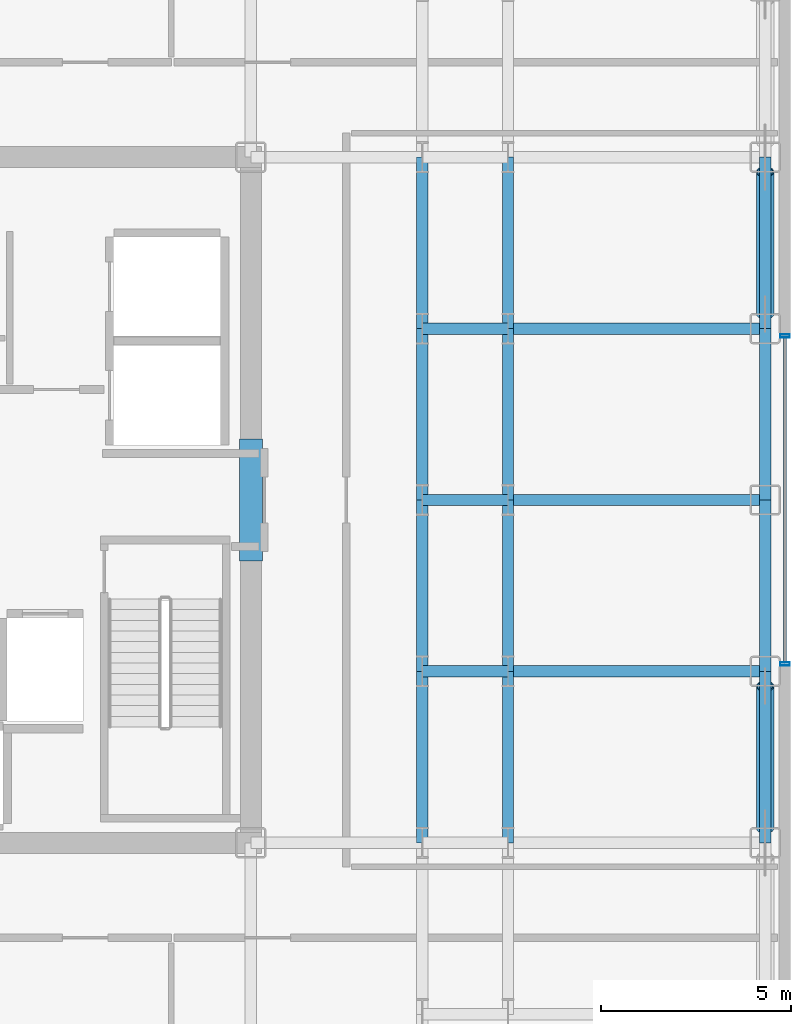
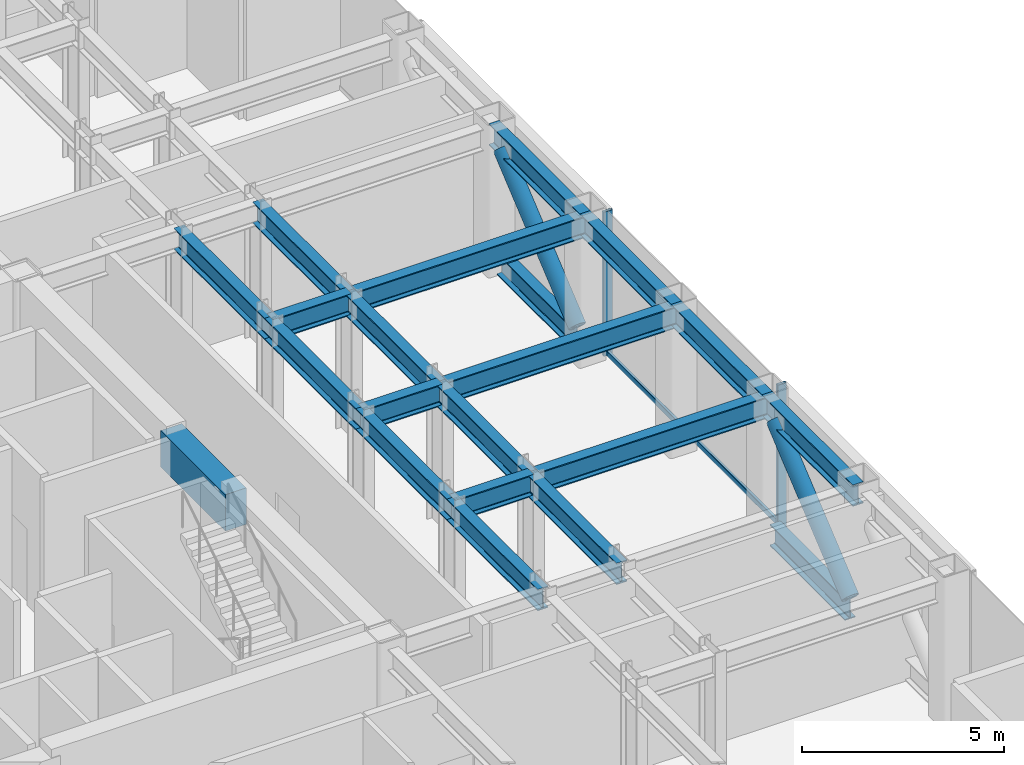
# One storey, part 10 of 26: 19 beams, 7 members, 1 element without a shape of its own.
"""IFC4 building model written with IfcOpenShell, lengths in metres."""

from ifc_helpers import new_model, si_unit, direction, frame, origin, origin_2d, place, context, subcontext, project, spatial, rectangle, hollow_rectangle, hollow_circle, i_section, extrude, source, transform, mapped, material, layer, layer_set, material_profile, profile_set, type_object, element, aggregate, save


model = new_model("IFC4")

# Units and contexts
model_context = context("Model", 3, precision=1e-05, world=origin(), true_north=direction((0.0, 1.0)))
body_context = subcontext(model_context, "Body", "Model", "MODEL_VIEW")
ifc_project = project(units=[si_unit("LENGTHUNIT", "METRE"), si_unit("AREAUNIT", "SQUARE_METRE"), si_unit("VOLUMEUNIT", "CUBIC_METRE"), si_unit("PLANEANGLEUNIT", "RADIAN"), si_unit("MASSUNIT", "GRAM", prefix="KILO")], contexts=[model_context])

# Site, building, storey
site_placement = place(None, origin())
site = spatial("IfcSite", under=ifc_project, at=site_placement, CompositionType="ELEMENT")
building_placement = place(site_placement, origin())
building = spatial("IfcBuilding", under=site, at=building_placement, Name="Nefas-Gora Pilgrimage Tower", CompositionType="ELEMENT")
storey_placement = place(building_placement, frame((0.0, 0.0, 202.0)))
storey = spatial("IfcBuildingStorey", under=building, at=storey_placement, Name="L50", CompositionType="ELEMENT", Elevation=202.0)

# Beams
ifc_material_1 = material(Name="Concrete C60/75", Category="concrete")
ifc_material_profile_1 = material_profile(ifc_material_1, rectangle(XDim=0.60009765625, YDim=1.10009765625, at=origin_2d()), Name="RC 600x1100")
ifc_profile_set_1 = profile_set([ifc_material_profile_1], Name="Concrete C60/75")
beam_type_1 = type_object("IfcBeamType", Name="BM-LIN-RC1100", PredefinedType="LINTEL", material=ifc_profile_set_1)
shared_shape_1 = source(origin(), body_context, "Body", "SweptSolid", [
    extrude(rectangle(XDim=0.60009765625, YDim=1.10009765625, at=origin_2d()), origin(), (0.0, 0.0, 1.0), 3.2001953125),
])
beam_placement = place(storey_placement, frame((11.25, -1.60009765625, 3.800048828125), z_axis=(0.0, 1.0, 0.0), x_axis=(-1.0, 0.0, 0.0)))
element("IfcBeam", 1, at=beam_placement, inside=storey, type_object=beam_type_1, Name="L50 Core Coupling Lintel Beam E", PredefinedType="LINTEL", context=body_context, shape_type="MappedRepresentation", body=[
    mapped(shared_shape_1, transform((0.0, 0.0, 0.0), x_axis=(1.0, 0.0, 0.0), y_axis=(0.0, 1.0, 0.0), z_axis=(0.0, 0.0, 1.0), scale=1.0)),
])
ifc_material_2 = material(Name="Steel S355", Category="steel")
ifc_material_profile_2 = material_profile(ifc_material_2, i_section(OverallWidth=0.300048828125, OverallDepth=0.64990234375, WebThickness=0.01611328125, FlangeThickness=0.031005859375, FilletRadius=0.027099609375, at=origin_2d()), Name="HEB 650")
ifc_profile_set_2 = profile_set([ifc_material_profile_2], Name="Steel S355")
beam_type_2 = type_object("IfcBeamType", Name="BM-SPN-HEB500", PredefinedType="SPANDREL", material=ifc_profile_set_2)
shared_shape_2 = source(origin(), body_context, "Body", "SweptSolid", [
    extrude(i_section(OverallWidth=0.300048828125, OverallDepth=0.64990234375, WebThickness=0.01611328125, FlangeThickness=0.031005859375, FilletRadius=0.027099609375, at=origin_2d()), origin(), (0.0, 0.0, 1.0), 4.5),
])
for number, where, z_axis, x_axis, name in (
    (2, (24.75, -9.0, 4.02490234375), (0.0, 1.0, 0.0), (-1.0, 0.0, 0.0), "L50 SP-02 beam"),
    (3, (24.75, -4.5, 4.02490234375), (0.0, 1.0, 0.0), (-1.0, 0.0, 0.0), "L50 SP-02 beam"),
    (4, (24.75, 0.0, 4.02490234375), (0.0, 1.0, 0.0), (-1.0, 0.0, 0.0), "L50 SP-02 beam"),
    (5, (24.75, 4.5, 4.02490234375), (0.0, 1.0, 0.0), (-1.0, 0.0, 0.0), "L50 SP-02 beam"),
):
    element("IfcBeam", number, at=place(storey_placement, frame(where, z_axis=z_axis, x_axis=x_axis)), inside=storey, type_object=beam_type_2, Name=name, PredefinedType="SPANDREL", context=body_context, shape_type="MappedRepresentation", body=[
        mapped(shared_shape_2, transform((0.0, 0.0, 0.0), x_axis=(1.0, 0.0, 0.0), y_axis=(0.0, 1.0, 0.0), z_axis=(0.0, 0.0, 1.0), scale=1.0)),
    ])
ifc_material_profile_3 = material_profile(ifc_material_2, i_section(OverallWidth=0.300048828125, OverallDepth=0.64990234375, WebThickness=0.01611328125, FlangeThickness=0.031005859375, FilletRadius=0.027099609375, at=origin_2d()), Name="HEB 650")
ifc_profile_set_3 = profile_set([ifc_material_profile_3], Name="Steel S355")
beam_type_3 = type_object("IfcBeamType", Name="BM-GIR-HEB650", PredefinedType="BEAM", material=ifc_profile_set_3)
shared_shape_3 = source(origin(), body_context, "Body", "SweptSolid", [
    extrude(i_section(OverallWidth=0.300048828125, OverallDepth=0.64990234375, WebThickness=0.01611328125, FlangeThickness=0.031005859375, FilletRadius=0.027099609375, at=origin_2d()), origin(), (0.0, 0.0, 1.0), 4.5),
])
for number, where, z_axis, x_axis, name in (
    (6, (15.75, -9.0, 4.02490234375), (0.0, 1.0, 0.0), (-1.0, 0.0, 0.0), "L50 G-03 beam"),
    (7, (15.75, -4.5, 4.02490234375), (0.0, 1.0, 0.0), (-1.0, 0.0, 0.0), "L50 G-03 beam"),
    (8, (15.75, 0.0, 4.02490234375), (0.0, 1.0, 0.0), (-1.0, 0.0, 0.0), "L50 G-03 beam"),
    (9, (15.75, 4.5, 4.02490234375), (0.0, 1.0, 0.0), (-1.0, 0.0, 0.0), "L50 G-03 beam"),
    (10, (18.0, -9.0, 4.02490234375), (0.0, 1.0, 0.0), (-1.0, 0.0, 0.0), "L50 G-03 beam"),
    (11, (18.0, -4.5, 4.02490234375), (0.0, 1.0, 0.0), (-1.0, 0.0, 0.0), "L50 G-03 beam"),
    (12, (18.0, 0.0, 4.02490234375), (0.0, 1.0, 0.0), (-1.0, 0.0, 0.0), "L50 G-03 beam"),
    (13, (18.0, 4.5, 4.02490234375), (0.0, 1.0, 0.0), (-1.0, 0.0, 0.0), "L50 G-03 beam"),
):
    element("IfcBeam", number, at=place(storey_placement, frame(where, z_axis=z_axis, x_axis=x_axis)), inside=storey, type_object=beam_type_3, Name=name, PredefinedType="BEAM", context=body_context, shape_type="MappedRepresentation", body=[
        mapped(shared_shape_3, transform((0.0, 0.0, 0.0), x_axis=(1.0, 0.0, 0.0), y_axis=(0.0, 1.0, 0.0), z_axis=(0.0, 0.0, 1.0), scale=1.0)),
    ])
shared_shape_4 = source(origin(), body_context, "Body", "SweptSolid", [
    extrude(i_section(OverallWidth=0.300048828125, OverallDepth=0.64990234375, WebThickness=0.01611328125, FlangeThickness=0.031005859375, FilletRadius=0.027099609375, at=origin_2d()), origin(), (0.0, 0.0, 1.0), 6.75),
])
for number, where, z_axis, x_axis, name in (
    (14, (18.0, -4.5, 4.02490234375), (1.0, 0.0, 0.0), (0.0, 1.0, 0.0), "L50 G-03 beam"),
    (15, (18.0, 0.0, 4.02490234375), (1.0, 0.0, 0.0), (0.0, 1.0, 0.0), "L50 G-03 beam"),
    (16, (18.0, 4.5, 4.02490234375), (1.0, 0.0, 0.0), (0.0, 1.0, 0.0), "L50 G-03 beam"),
):
    element("IfcBeam", number, at=place(storey_placement, frame(where, z_axis=z_axis, x_axis=x_axis)), inside=storey, type_object=beam_type_3, Name=name, PredefinedType="BEAM", context=body_context, shape_type="MappedRepresentation", body=[
        mapped(shared_shape_4, transform((0.0, 0.0, 0.0), x_axis=(1.0, 0.0, 0.0), y_axis=(0.0, 1.0, 0.0), z_axis=(0.0, 0.0, 1.0), scale=1.0)),
    ])
shared_shape_5 = source(origin(), body_context, "Body", "SweptSolid", [
    extrude(i_section(OverallWidth=0.300048828125, OverallDepth=0.64990234375, WebThickness=0.01611328125, FlangeThickness=0.031005859375, FilletRadius=0.027099609375, at=origin_2d()), origin(), (0.0, 0.0, 1.0), 2.25),
])
for number, where, z_axis, x_axis, name in (
    (17, (15.75, -4.5, 4.02490234375), (1.0, 0.0, 0.0), (0.0, 1.0, 0.0), "L50 G-03 beam"),
    (18, (15.75, 0.0, 4.02490234375), (1.0, 0.0, 0.0), (0.0, 1.0, 0.0), "L50 G-03 beam"),
    (19, (15.75, 4.5, 4.02490234375), (1.0, 0.0, 0.0), (0.0, 1.0, 0.0), "L50 G-03 beam"),
):
    element("IfcBeam", number, at=place(storey_placement, frame(where, z_axis=z_axis, x_axis=x_axis)), inside=storey, type_object=beam_type_3, Name=name, PredefinedType="BEAM", context=body_context, shape_type="MappedRepresentation", body=[
        mapped(shared_shape_5, transform((0.0, 0.0, 0.0), x_axis=(1.0, 0.0, 0.0), y_axis=(0.0, 1.0, 0.0), z_axis=(0.0, 0.0, 1.0), scale=1.0)),
    ])

# Members
ifc_material_3 = material(Name="Steel S460", Category="steel")
ifc_material_profile_4 = material_profile(ifc_material_3, hollow_circle(Radius=0.228515625, WallThickness=0.028076171875, at=origin_2d()), Name="CHS 457x28")
ifc_profile_set_4 = profile_set([ifc_material_profile_4], Name="Steel S460")
member_type_1 = type_object("IfcMemberType", Name="MEM-BELT-457", PredefinedType="BRACE", material=ifc_profile_set_4)
shared_shape_6 = source(origin(), body_context, "Body", "SweptSolid", [
    extrude(hollow_circle(Radius=0.228515625, WallThickness=0.028076171875, at=origin_2d()), origin(), (0.0, 0.0, 1.0), 4.84765625),
])
for number, where, z_axis, x_axis, name in (
    (20, (24.75, -8.612060546875, 0.67333984375), (0.0, 0.768237791814, 0.640164584485), (-1.0, 0.0, 0.0), "L50 Perimeter Belt-Truss Diagonal 6"),
    (21, (24.75, 4.887939453125, 0.67333984375), (0.0, 0.768237791814, 0.640164584485), (-1.0, 0.0, 0.0), "L50 Perimeter Belt-Truss Diagonal 7"),
):
    element("IfcMember", number, at=place(storey_placement, frame(where, z_axis=z_axis, x_axis=x_axis)), inside=storey, type_object=member_type_1, Name=name, PredefinedType="BRACE", context=body_context, shape_type="MappedRepresentation", body=[
        mapped(shared_shape_6, transform((0.0, 0.0, 0.0), x_axis=(1.0, 0.0, 0.0), y_axis=(0.0, 1.0, 0.0), z_axis=(0.0, 0.0, 1.0), scale=1.0)),
    ])
ifc_material_profile_5 = material_profile(ifc_material_3, i_section(OverallWidth=0.300048828125, OverallDepth=0.64990234375, WebThickness=0.01611328125, FlangeThickness=0.031005859375, FilletRadius=0.027099609375, at=origin_2d()), Name="HEB 650")
ifc_profile_set_5 = profile_set([ifc_material_profile_5], Name="Steel S460")
member_type_2 = type_object("IfcMemberType", Name="MEM-BELT-CHORD", PredefinedType="CHORD", material=ifc_profile_set_5)
shared_shape_7 = source(origin(), body_context, "Body", "SweptSolid", [
    extrude(i_section(OverallWidth=0.300048828125, OverallDepth=0.64990234375, WebThickness=0.01611328125, FlangeThickness=0.031005859375, FilletRadius=0.027099609375, at=origin_2d()), origin(), (0.0, 0.0, 1.0), 3.72412109375),
])
for number, where, z_axis, x_axis, name in (
    (22, (24.75, -8.612060546875, 0.35009765625), (0.0, 1.0, 0.0), (-1.0, 0.0, 0.0), "L50 Perimeter Belt-Truss Bottom Chord 6"),
    (23, (24.75, 4.887939453125, 0.35009765625), (0.0, 1.0, 0.0), (-1.0, 0.0, 0.0), "L50 Perimeter Belt-Truss Bottom Chord 7"),
):
    element("IfcMember", number, at=place(storey_placement, frame(where, z_axis=z_axis, x_axis=x_axis)), inside=storey, type_object=member_type_2, Name=name, PredefinedType="CHORD", context=body_context, shape_type="MappedRepresentation", body=[
        mapped(shared_shape_7, transform((0.0, 0.0, 0.0), x_axis=(1.0, 0.0, 0.0), y_axis=(0.0, 1.0, 0.0), z_axis=(0.0, 0.0, 1.0), scale=1.0)),
    ])

# Curtain wall, members
ifc_material_4 = material(Name="Dark ceramic-fritted solar-control aluminium-glass curtain wall", Category="aluminium")
ifc_layer = layer(ifc_material_4, 0.219970703125)
ifc_layer_set = layer_set([ifc_layer], Name="Dark ceramic-fritted solar-control aluminium-glass curtain wall")
curtain_wall_type = type_object("IfcCurtainWallType", Name="CW-SYS-3", PredefinedType="NOTDEFINED", material=ifc_layer_set)
curtain_wall_placement = place(storey_placement, origin())
curtain_wall = element("IfcCurtainWall", 24, at=curtain_wall_placement, inside=storey, type_object=curtain_wall_type, Name="L50 Unitised Curtain Wall CW3", PredefinedType="NOTDEFINED")
ifc_material_5 = material(Name="Anodised architectural aluminium", Category="aluminium")
ifc_material_profile_6 = material_profile(ifc_material_5, hollow_rectangle(XDim=0.080078125, YDim=0.159912109375, WallThickness=0.00439453125, InnerFilletRadius=0.00439453125, OuterFilletRadius=0.009033203125, at=origin_2d()), Name="ALU TRANSOM 80x160")
ifc_profile_set_6 = profile_set([ifc_material_profile_6], Name="Anodised architectural aluminium")
member_type_3 = type_object("IfcMemberType", Name="CWM-TRN-3", PredefinedType="USERDEFINED", material=ifc_profile_set_6)
shared_shape_8 = source(origin(), body_context, "Body", "SweptSolid", [
    extrude(hollow_rectangle(XDim=0.080078125, YDim=0.159912109375, WallThickness=0.00439453125, InnerFilletRadius=0.00439453125, OuterFilletRadius=0.009033203125, at=origin_2d()), origin(), (0.0, 0.0, 1.0), 8.52001953125),
])
member_1_placement = place(storey_placement, frame((25.27001953125, -4.260009765625, 0.050048828125), z_axis=(0.0, 1.0, 0.0), x_axis=(-1.0, 0.0, 0.0)))
member_1 = element("IfcMember", 25, at=member_1_placement, type_object=member_type_3, Name="CW3 Spandrel Transom", ObjectType="TRANSOM", PredefinedType="USERDEFINED", context=body_context, shape_type="MappedRepresentation", body=[
    mapped(shared_shape_8, transform((0.0, 0.0, 0.0), x_axis=(1.0, 0.0, 0.0), y_axis=(0.0, 1.0, 0.0), z_axis=(0.0, 0.0, 1.0), scale=1.0)),
])
ifc_material_profile_7 = material_profile(ifc_material_5, hollow_rectangle(XDim=0.090087890625, YDim=0.260009765625, WallThickness=0.006103515625, InnerFilletRadius=0.006103515625, OuterFilletRadius=0.011962890625, at=origin_2d()), Name="ALU MULLION 90x260")
ifc_profile_set_7 = profile_set([ifc_material_profile_7], Name="Anodised architectural aluminium")
member_type_4 = type_object("IfcMemberType", Name="CWM-MUL-3", PredefinedType="MULLION", material=ifc_profile_set_7)
shared_shape_9 = source(origin(), body_context, "Body", "SweptSolid", [
    extrude(hollow_rectangle(XDim=0.090087890625, YDim=0.260009765625, WallThickness=0.006103515625, InnerFilletRadius=0.006103515625, OuterFilletRadius=0.011962890625, at=origin_2d()), origin(), (0.0, 0.0, 1.0), 4.35009765625),
])
member_2_placement = place(storey_placement, frame((25.27001953125, -4.304931640625, 0.0), z_axis=(0.0, 0.0, 1.0), x_axis=(0.0, 1.0, 0.0)))
member_2 = element("IfcMember", 26, at=member_2_placement, type_object=member_type_4, Name="CW3 Mullion 1", PredefinedType="MULLION", context=body_context, shape_type="MappedRepresentation", body=[
    mapped(shared_shape_9, transform((0.0, 0.0, 0.0), x_axis=(1.0, 0.0, 0.0), y_axis=(0.0, 1.0, 0.0), z_axis=(0.0, 0.0, 1.0), scale=1.0)),
])
member_3_placement = place(storey_placement, frame((25.27001953125, 4.304931640625, 0.0), z_axis=(0.0, 0.0, 1.0), x_axis=(0.0, 1.0, 0.0)))
member_3 = element("IfcMember", 27, at=member_3_placement, type_object=member_type_4, Name="CW3 Mullion 2", PredefinedType="MULLION", context=body_context, shape_type="MappedRepresentation", body=[
    mapped(shared_shape_9, transform((0.0, 0.0, 0.0), x_axis=(1.0, 0.0, 0.0), y_axis=(0.0, 1.0, 0.0), z_axis=(0.0, 0.0, 1.0), scale=1.0)),
])
aggregate(curtain_wall, [member_2, member_3, member_1])

save(model, "model.ifc")
